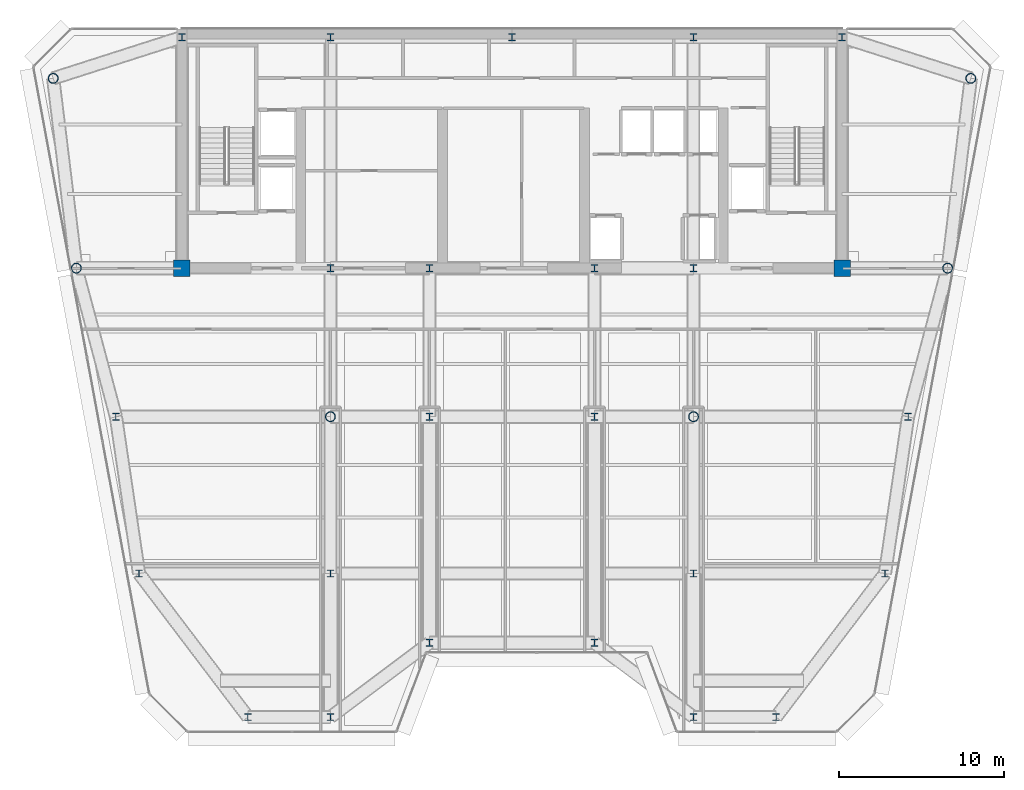
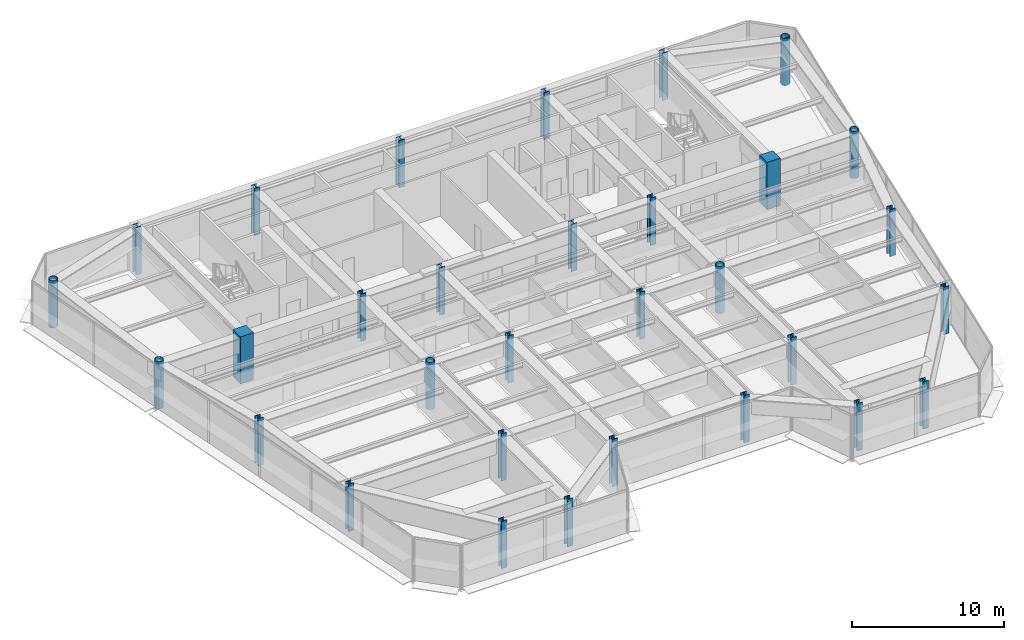
# One storey, part 1 of 17: 31 columns.
"""IFC4 building model written with IfcOpenShell, lengths in metres."""

import ifcopenshell
import ifcopenshell.guid

model = None  # the IFC model being written
_history = None  # IfcOwnerHistory: only IFC2X3 demands one
_inside = {}  # id of a spatial element -> (the spatial element, [elements in it])
_under = {}  # id of a project, library or spatial element -> (it, [spatial elements below it])
_declared = {}  # id of a project -> (the project, [libraries it declares])
_typed = {}  # id of a type object -> (the type object, [elements of that type])
_made_of = {}  # id of a material, layer set ... -> (it, [elements and type objects made of it])


def new_model(schema):
    """Start an empty IFC model of exactly this schema.

    Asked for "IFC4X3", IfcOpenShell would pick the latest addendum, in which some entities
    have other attributes; the version numbers below select the first issue.
    IFC2X3 requires an IfcOwnerHistory on every rooted entity: one is made here for all.
    """
    global model, _history
    if schema == "IFC4X3":
        model = ifcopenshell.file(schema_version=(4, 3, 0, 0))
    else:
        model = ifcopenshell.file(schema=schema)
    _inside.clear()
    _under.clear()
    _declared.clear()
    _typed.clear()
    _made_of.clear()
    _history = None
    if model.schema == "IFC2X3":
        org = make("IfcOrganization", Name="unknown")
        user = make(
            "IfcPersonAndOrganization",
            ThePerson=make("IfcPerson", FamilyName="unknown"),
            TheOrganization=org,
        )
        app = make(
            "IfcApplication",
            ApplicationDeveloper=org,
            Version="unknown",
            ApplicationFullName="unknown",
            ApplicationIdentifier="unknown",
        )
        _history = make(
            "IfcOwnerHistory",
            OwningUser=user,
            OwningApplication=app,
            ChangeAction="ADDED",
            CreationDate=0,
        )
    return model


def make(cls, **values):
    """One entity of the class cls with the attributes given. An attribute that is None is left unset."""
    return model.create_entity(
        cls, **{name: value for name, value in values.items() if value is not None}
    )


def rooted(cls, **values):
    """An entity with a GlobalId (a new one), such as an element, a storey or a relation."""
    return make(cls, GlobalId=ifcopenshell.guid.new(), OwnerHistory=_history, **values)


def si_unit(unit_type, name, prefix=None):
    """IfcSIUnit, for example si_unit("LENGTHUNIT", "METRE", prefix="MILLI")."""
    return make("IfcSIUnit", UnitType=unit_type, Prefix=prefix, Name=name)


def assignment(units):
    """IfcUnitAssignment: the units of a project."""
    return None if units is None else make("IfcUnitAssignment", Units=units)


def point(xyz):
    """IfcCartesianPoint."""
    return None if xyz is None else make("IfcCartesianPoint", Coordinates=xyz)


def direction(xyz):
    """IfcDirection."""
    return None if xyz is None else make("IfcDirection", DirectionRatios=xyz)


def frame(location, z_axis=None, x_axis=None):
    """IfcAxis2Placement3D, a coordinate frame: its origin and axes. An axis left out is left unset."""
    return make(
        "IfcAxis2Placement3D",
        Location=point(location),
        Axis=direction(z_axis),
        RefDirection=direction(x_axis),
    )


def frame_2d(location, x_axis=None):
    """IfcAxis2Placement2D, a coordinate frame in the plane: its origin and x axis."""
    return make(
        "IfcAxis2Placement2D", Location=point(location), RefDirection=direction(x_axis)
    )


def origin():
    """The frame at (0, 0, 0) with its axes left unset."""
    return frame((0.0, 0.0, 0.0))


def origin_2d():
    """The frame at (0, 0) in the plane with its x axis left unset."""
    return frame_2d((0.0, 0.0))


def place(relative_to, where):
    """IfcLocalPlacement: puts the frame where relative to a parent placement (None: the world)."""
    return make(
        "IfcLocalPlacement", PlacementRelTo=relative_to, RelativePlacement=where
    )


def context(
    kind, dimensions, precision=None, world=None, true_north=None, identifier=None
):
    """IfcGeometricRepresentationContext, for example the 3D "Model" context."""
    return make(
        "IfcGeometricRepresentationContext",
        ContextIdentifier=identifier,
        ContextType=kind,
        CoordinateSpaceDimension=dimensions,
        Precision=precision,
        WorldCoordinateSystem=world,
        TrueNorth=true_north,
    )


def subcontext(parent, identifier, kind, view, scale=None):
    """IfcGeometricRepresentationSubContext, for example "Body" below "Model"."""
    return make(
        "IfcGeometricRepresentationSubContext",
        ContextIdentifier=identifier,
        ContextType=kind,
        ParentContext=parent,
        TargetScale=scale,
        TargetView=view,
    )


def project(units=None, contexts=None):
    """IfcProject with its units and contexts."""
    return rooted(
        "IfcProject",
        Name="project",
        RepresentationContexts=contexts,
        UnitsInContext=assignment(units),
    )


def spatial(cls, under=None, at=None, **own):
    """A site, building, storey or space (cls), placed at a placement, below another one or the project."""
    s = rooted(cls, ObjectPlacement=at, **own)
    if under is not None:
        _under.setdefault(under.id(), (under, []))[1].append(s)
    return s


def profile(cls, at=None, kind="AREA", **sizes):
    """A parametric profile (cls). Its sizes go by their IFC names, for example OverallWidth=200.0."""
    return make(cls, ProfileType=kind, Position=at, **sizes)


def rectangle(**sizes):
    """IfcRectangleProfileDef."""
    return profile("IfcRectangleProfileDef", **sizes)


def hollow_circle(**sizes):
    """IfcCircleHollowProfileDef."""
    return profile("IfcCircleHollowProfileDef", **sizes)


def i_section(**sizes):
    """IfcIShapeProfileDef."""
    return profile("IfcIShapeProfileDef", **sizes)


def extrude(swept, where, along, depth):
    """IfcExtrudedAreaSolid: the profile swept, set in the frame where, extruded along a direction by depth."""
    return make(
        "IfcExtrudedAreaSolid",
        SweptArea=swept,
        Position=where,
        ExtrudedDirection=direction(along),
        Depth=depth,
    )


def shape(context_of_items, identifier, shape_type, items):
    """IfcShapeRepresentation: the items that make up one representation, for example the "Body"."""
    return make(
        "IfcShapeRepresentation",
        ContextOfItems=context_of_items,
        RepresentationIdentifier=identifier,
        RepresentationType=shape_type,
        Items=items,
    )


def source(mapping_origin, context_of_items, identifier, shape_type, items):
    """IfcRepresentationMap: a shape defined once, which mapped items show again and again."""
    return make(
        "IfcRepresentationMap",
        MappingOrigin=mapping_origin,
        MappedRepresentation=shape(context_of_items, identifier, shape_type, items),
    )


def transform(
    local_origin,
    x_axis=None,
    y_axis=None,
    z_axis=None,
    scale=None,
    scale2=None,
    scale3=None,
    uniform=True,
):
    """IfcCartesianTransformationOperator3D, or its non-uniform kind. x_axis, y_axis, z_axis: its Axis1, 2, 3."""
    if uniform:
        return make(
            "IfcCartesianTransformationOperator3D",
            Axis1=direction(x_axis),
            Axis2=direction(y_axis),
            LocalOrigin=point(local_origin),
            Scale=scale,
            Axis3=direction(z_axis),
        )
    return make(
        "IfcCartesianTransformationOperator3DnonUniform",
        Axis1=direction(x_axis),
        Axis2=direction(y_axis),
        LocalOrigin=point(local_origin),
        Scale=scale,
        Axis3=direction(z_axis),
        Scale2=scale2,
        Scale3=scale3,
    )


def mapped(mapping_source, mapping_target):
    """IfcMappedItem: shows the shape of a source again, moved by a transform."""
    return make(
        "IfcMappedItem", MappingSource=mapping_source, MappingTarget=mapping_target
    )


def material(Name=None, Category=None):
    """IfcMaterial."""
    return make("IfcMaterial", Name=Name, Category=Category)


def material_profile(
    of_material, cross_section, Name=None, Category=None, Priority=None
):
    """IfcMaterialProfile: a cross section and its material."""
    return make(
        "IfcMaterialProfile",
        Name=Name,
        Material=of_material,
        Profile=cross_section,
        Priority=Priority,
        Category=Category,
    )


def profile_set(profiles, Name=None, composite=None):
    """IfcMaterialProfileSet."""
    return make(
        "IfcMaterialProfileSet",
        Name=Name,
        MaterialProfiles=profiles,
        CompositeProfile=composite,
    )


def made_of(thing, what):
    """Note that an element or type object is made of a material, layer set ...; save() writes the relation."""
    if what is not None:
        _made_of.setdefault(what.id(), (what, []))[1].append(thing)
    return thing


def type_object(cls, material=None, **own):
    """A type object (cls), such as IfcWallType, which elements share."""
    return made_of(rooted(cls, **own), material)


def element(
    cls,
    number,
    at=None,
    inside=None,
    cuts=None,
    type_object=None,
    material=None,
    context=None,
    identifier="Body",
    shape_type=None,
    held_by="IfcProductDefinitionShape",
    body=None,
    shapes=None,
    **own,
):
    """One element of the class cls, such as IfcWall. Its Tag is "e" and its number.

    at: its placement. inside: the storey or other place that contains it. cuts: it is an
    opening in that element (IfcRelVoidsElement). A single representation is given by context,
    identifier, shape_type and body (its items); several are given by shapes. held_by: the class
    of the entity that holds the representations. save() writes the other relations.
    """
    e = rooted(cls, Tag="e%d" % number, ObjectPlacement=at, **own)
    if body is not None:
        shapes = [shape(context, identifier, shape_type, body)]
    if shapes is not None:
        e.Representation = make(held_by, Representations=shapes)
    if inside is not None:
        _inside.setdefault(inside.id(), (inside, []))[1].append(e)
    if cuts is not None:
        rooted(
            "IfcRelVoidsElement", RelatingBuildingElement=cuts, RelatedOpeningElement=e
        )
    if type_object is not None:
        _typed.setdefault(type_object.id(), (type_object, []))[1].append(e)
    return made_of(e, material)


def aggregate(whole, parts):
    """IfcRelAggregates: a whole, such as a stair, and the parts it consists of."""
    return rooted("IfcRelAggregates", RelatingObject=whole, RelatedObjects=parts)


def save(model, path):
    """Write the relations noted so far, then the file.

    IfcRelAggregates (storeys below a building ...), IfcRelContainedInSpatialStructure (elements
    in a storey), IfcRelDefinesByType, IfcRelAssociatesMaterial and IfcRelDeclares: one each for
    every whole, place, type object, material and project.
    """
    for whole, parts in _under.values():
        aggregate(whole, parts)
    for where, things in _inside.values():
        rooted(
            "IfcRelContainedInSpatialStructure",
            RelatedElements=things,
            RelatingStructure=where,
        )
    for kind, things in _typed.values():
        rooted("IfcRelDefinesByType", RelatedObjects=things, RelatingType=kind)
    for what, things in _made_of.values():
        rooted("IfcRelAssociatesMaterial", RelatedObjects=things, RelatingMaterial=what)
    for by, libraries in _declared.values():
        rooted("IfcRelDeclares", RelatingContext=by, RelatedDefinitions=libraries)
    model.write(path)


model = new_model("IFC4")

# Units and contexts
model_context = context("Model", 3, precision=1e-05, world=origin(), true_north=direction((0.0, 1.0)))
body_context = subcontext(model_context, "Body", "Model", "MODEL_VIEW")
ifc_project = project(units=[si_unit("LENGTHUNIT", "METRE"), si_unit("AREAUNIT", "SQUARE_METRE"), si_unit("VOLUMEUNIT", "CUBIC_METRE"), si_unit("PLANEANGLEUNIT", "RADIAN"), si_unit("MASSUNIT", "GRAM", prefix="KILO")], contexts=[model_context])

# Site, building, storey
site_placement = place(None, origin())
site = spatial("IfcSite", under=ifc_project, at=site_placement, CompositionType="ELEMENT")
building_placement = place(site_placement, origin())
building = spatial("IfcBuilding", under=site, at=building_placement, Name="Vaeldorn Concourse Tower", CompositionType="ELEMENT")
storey_placement = place(building_placement, frame((0.0, 0.0, 234.60009765625)))
storey = spatial("IfcBuildingStorey", under=building, at=storey_placement, Name="L60", CompositionType="ELEMENT", Elevation=234.60009765625)

# Columns
ifc_material_1 = material(Name="Concrete C50/60", Category="concrete")
ifc_material_profile_1 = material_profile(ifc_material_1, rectangle(XDim=1.0, YDim=1.0, at=origin_2d()), Name="RC 1000x1000")
ifc_profile_set_1 = profile_set([ifc_material_profile_1], Name="Concrete C50/60")
column_type_1 = type_object("IfcColumnType", Name="COL-RC1000", PredefinedType="COLUMN", material=ifc_profile_set_1)
shared_shape_1 = source(origin(), body_context, "Body", "SweptSolid", [
    extrude(rectangle(XDim=1.0, YDim=1.0, at=origin_2d()), origin(), (0.0, 0.0, 1.0), 3.7998046875),
])
for number, where, z_axis, x_axis, name in (
    (1, (14.0, 36.5, 0.0), (0.0, 0.0, 1.0), (1.0, 0.0, 0.0), "Column C-FC1 L60"),
    (2, (54.0, 36.5, 0.0), (0.0, 0.0, 1.0), (1.0, 0.0, 0.0), "Column C-FC6 L60"),
):
    element("IfcColumn", number, at=place(storey_placement, frame(where, z_axis=z_axis, x_axis=x_axis)), inside=storey, type_object=column_type_1, Name=name, PredefinedType="COLUMN", context=body_context, shape_type="MappedRepresentation", body=[
        mapped(shared_shape_1, transform((0.0, 0.0, 0.0), scale=1.0)),
    ])
ifc_material_2 = material(Name="Steel S460", Category="steel")
ifc_material_profile_2 = material_profile(ifc_material_2, i_section(OverallWidth=0.41796875, OverallDepth=0.455078125, WebThickness=0.0419921875, FlangeThickness=0.05810546875, FilletRadius=0.014892578125, at=origin_2d()), Name="HD 400x551")
ifc_profile_set_2 = profile_set([ifc_material_profile_2], Name="Steel S460")
column_type_2 = type_object("IfcColumnType", Name="COL-HD551", PredefinedType="COLUMN", material=ifc_profile_set_2)
shared_shape_2 = source(origin(), body_context, "Body", "SweptSolid", [
    extrude(i_section(OverallWidth=0.41796875, OverallDepth=0.455078125, WebThickness=0.0419921875, FlangeThickness=0.05810546875, FilletRadius=0.014892578125, at=origin_2d()), origin(), (0.0, 0.0, 1.0), 3.7998046875),
])
for number, where, z_axis, x_axis, name in (
    (3, (23.0, 36.5, 0.0), (0.0, 0.0, 1.0), (1.0, 0.0, 0.0), "Column C-FC2 L60"),
    (4, (29.0, 36.5, 0.0), (0.0, 0.0, 1.0), (1.0, 0.0, 0.0), "Column C-FC3 L60"),
    (5, (39.0, 36.5, 0.0), (0.0, 0.0, 1.0), (1.0, 0.0, 0.0), "Column C-FC4 L60"),
    (6, (45.0, 36.5, 0.0), (0.0, 0.0, 1.0), (1.0, 0.0, 0.0), "Column C-FC5 L60"),
    (7, (14.0, 50.5, 0.0), (0.0, 0.0, 1.0), (1.0, 0.0, 0.0), "Column C-HC1 L60"),
    (8, (23.0, 50.5, 0.0), (0.0, 0.0, 1.0), (1.0, 0.0, 0.0), "Column C-HC2 L60"),
    (9, (34.0, 50.5, 0.0), (0.0, 0.0, 1.0), (1.0, 0.0, 0.0), "Column C-HC3 L60"),
    (10, (45.0, 50.5, 0.0), (0.0, 0.0, 1.0), (1.0, 0.0, 0.0), "Column C-HC4 L60"),
    (11, (54.0, 50.5, 0.0), (0.0, 0.0, 1.0), (1.0, 0.0, 0.0), "Column C-HC5 L60"),
):
    element("IfcColumn", number, at=place(storey_placement, frame(where, z_axis=z_axis, x_axis=x_axis)), inside=storey, type_object=column_type_2, Name=name, PredefinedType="COLUMN", context=body_context, shape_type="MappedRepresentation", body=[
        mapped(shared_shape_2, transform((0.0, 0.0, 0.0), scale=1.0)),
    ])
ifc_material_3 = material(Name="Steel S355", Category="steel")
ifc_material_profile_3 = material_profile(ifc_material_3, hollow_circle(Radius=0.304931640625, WallThickness=0.030029296875, at=origin_2d()), Name="CHS 610x30")
ifc_profile_set_3 = profile_set([ifc_material_profile_3], Name="Steel S355")
column_type_3 = type_object("IfcColumnType", Name="COL-CHS610", PredefinedType="COLUMN", material=ifc_profile_set_3)
shared_shape_3 = source(origin(), body_context, "Body", "SweptSolid", [
    extrude(hollow_circle(Radius=0.304931640625, WallThickness=0.030029296875, at=origin_2d()), origin(), (0.0, 0.0, 1.0), 3.7998046875),
])
for number, where, z_axis, x_axis, name in (
    (12, (6.199951171875, 48.0, 0.0), (0.0, 0.0, 1.0), (1.0, 0.0, 0.0), "Column C-NW1 L60"),
    (13, (7.60009765625, 36.5, 0.0), (0.0, 0.0, 1.0), (1.0, 0.0, 0.0), "Column C-NW2 L60"),
    (14, (61.800048828125, 48.0, 0.0), (0.0, 0.0, 1.0), (1.0, 0.0, 0.0), "Column C-NE1 L60"),
    (15, (60.39990234375, 36.5, 0.0), (0.0, 0.0, 1.0), (1.0, 0.0, 0.0), "Column C-NE2 L60"),
    (16, (23.0, 27.5, 0.0), (0.0, 0.0, 1.0), (1.0, 0.0, 0.0), "Column C-TW1 L60"),
    (17, (45.0, 27.5, 0.0), (0.0, 0.0, 1.0), (1.0, 0.0, 0.0), "Column C-TW4 L60"),
):
    element("IfcColumn", number, at=place(storey_placement, frame(where, z_axis=z_axis, x_axis=x_axis)), inside=storey, type_object=column_type_3, Name=name, PredefinedType="COLUMN", context=body_context, shape_type="MappedRepresentation", body=[
        mapped(shared_shape_3, transform((0.0, 0.0, 0.0), scale=1.0)),
    ])
ifc_material_profile_4 = material_profile(ifc_material_3, i_section(OverallWidth=0.412109375, OverallDepth=0.43505859375, WebThickness=0.035888671875, FlangeThickness=0.050048828125, FilletRadius=0.014892578125, at=origin_2d()), Name="HD 400x463")
ifc_profile_set_4 = profile_set([ifc_material_profile_4], Name="Steel S355")
column_type_4 = type_object("IfcColumnType", Name="COL-HD463F", PredefinedType="COLUMN", material=ifc_profile_set_4)
shared_shape_4 = source(origin(), body_context, "Body", "SweptSolid", [
    extrude(i_section(OverallWidth=0.412109375, OverallDepth=0.43505859375, WebThickness=0.035888671875, FlangeThickness=0.050048828125, FilletRadius=0.014892578125, at=origin_2d()), origin(), (0.0, 0.0, 1.0), 3.7998046875),
])
for number, where, z_axis, x_axis, name in (
    (18, (10.0, 27.5, 0.0), (0.0, 0.0, 1.0), (1.0, 0.0, 0.0), "Column C-FLW1 L60"),
    (19, (11.39990234375, 18.0, 0.0), (0.0, 0.0, 1.0), (1.0, 0.0, 0.0), "Column C-FLW2 L60"),
    (20, (58.0, 27.5, 0.0), (0.0, 0.0, 1.0), (1.0, 0.0, 0.0), "Column C-FLE1 L60"),
    (21, (56.60009765625, 18.0, 0.0), (0.0, 0.0, 1.0), (1.0, 0.0, 0.0), "Column C-FLE2 L60"),
):
    element("IfcColumn", number, at=place(storey_placement, frame(where, z_axis=z_axis, x_axis=x_axis)), inside=storey, type_object=column_type_4, Name=name, PredefinedType="COLUMN", context=body_context, shape_type="MappedRepresentation", body=[
        mapped(shared_shape_4, transform((0.0, 0.0, 0.0), scale=1.0)),
    ])
ifc_material_profile_5 = material_profile(ifc_material_3, i_section(OverallWidth=0.412109375, OverallDepth=0.43505859375, WebThickness=0.035888671875, FlangeThickness=0.050048828125, FilletRadius=0.014892578125, at=origin_2d()), Name="HD 400x463")
ifc_profile_set_5 = profile_set([ifc_material_profile_5], Name="Steel S355")
column_type_5 = type_object("IfcColumnType", Name="COL-HD463T", PredefinedType="COLUMN", material=ifc_profile_set_5)
shared_shape_5 = source(origin(), body_context, "Body", "SweptSolid", [
    extrude(i_section(OverallWidth=0.412109375, OverallDepth=0.43505859375, WebThickness=0.035888671875, FlangeThickness=0.050048828125, FilletRadius=0.014892578125, at=origin_2d()), origin(), (0.0, 0.0, 1.0), 3.7998046875),
])
for number, where, z_axis, x_axis, name in (
    (22, (29.0, 27.5, 0.0), (0.0, 0.0, 1.0), (1.0, 0.0, 0.0), "Column C-TW2 L60"),
    (23, (39.0, 27.5, 0.0), (0.0, 0.0, 1.0), (1.0, 0.0, 0.0), "Column C-TW3 L60"),
    (24, (23.0, 18.0, 0.0), (0.0, 0.0, 1.0), (1.0, 0.0, 0.0), "Column C-TW5 L60"),
    (25, (45.0, 18.0, 0.0), (0.0, 0.0, 1.0), (1.0, 0.0, 0.0), "Column C-TW6 L60"),
    (26, (18.0, 9.300048828125, 0.0), (0.0, 0.0, 1.0), (1.0, 0.0, 0.0), "Column C-SF1 L60"),
    (27, (23.0, 9.300048828125, 0.0), (0.0, 0.0, 1.0), (1.0, 0.0, 0.0), "Column C-SF2 L60"),
    (28, (29.0, 13.800048828125, 0.0), (0.0, 0.0, 1.0), (1.0, 0.0, 0.0), "Column C-SF3 L60"),
    (29, (39.0, 13.800048828125, 0.0), (0.0, 0.0, 1.0), (1.0, 0.0, 0.0), "Column C-SF4 L60"),
    (30, (45.0, 9.300048828125, 0.0), (0.0, 0.0, 1.0), (1.0, 0.0, 0.0), "Column C-SF5 L60"),
    (31, (50.0, 9.300048828125, 0.0), (0.0, 0.0, 1.0), (1.0, 0.0, 0.0), "Column C-SF6 L60"),
):
    element("IfcColumn", number, at=place(storey_placement, frame(where, z_axis=z_axis, x_axis=x_axis)), inside=storey, type_object=column_type_5, Name=name, PredefinedType="COLUMN", context=body_context, shape_type="MappedRepresentation", body=[
        mapped(shared_shape_5, transform((0.0, 0.0, 0.0), scale=1.0)),
    ])

save(model, "model.ifc")
